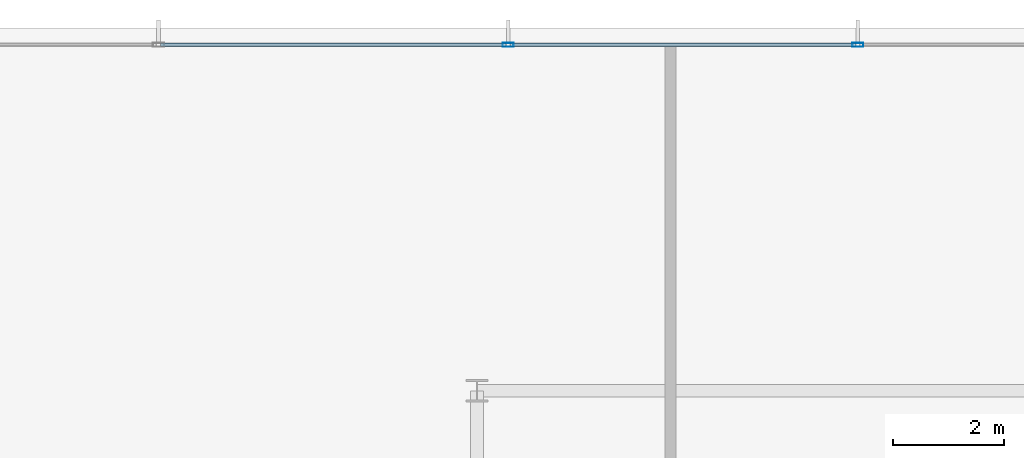
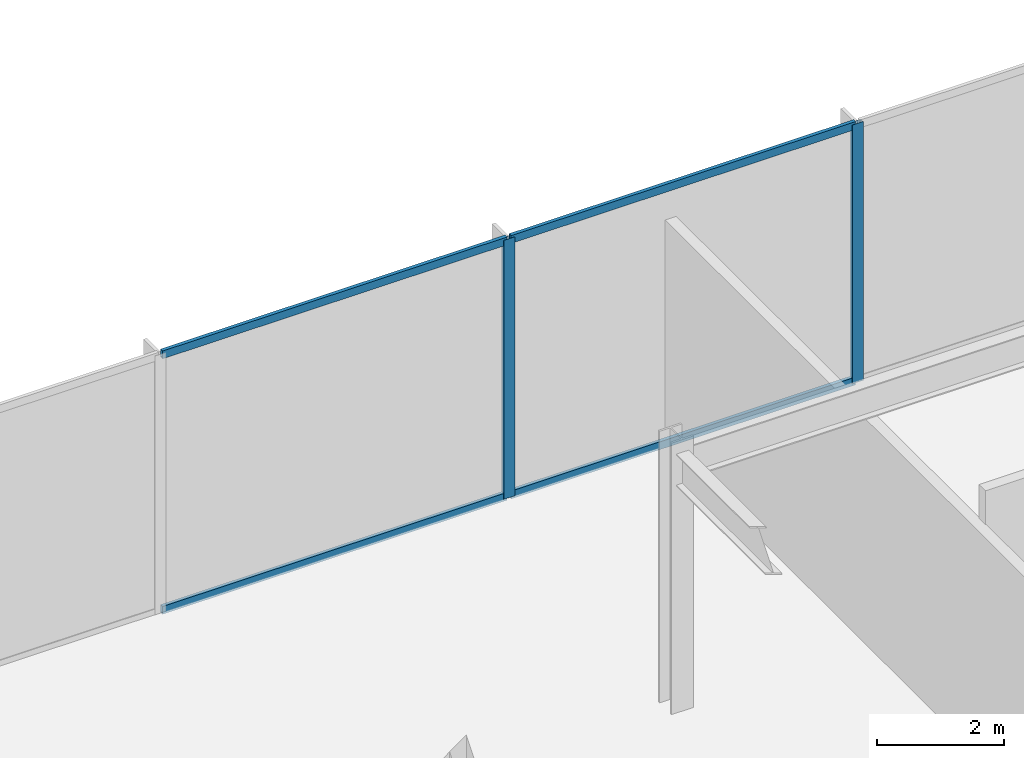
# One storey, part 25 of 43: 6 members, 1 element without a shape of its own.
"""IFC4 building model written with IfcOpenShell, lengths in metres."""

from ifc_helpers import new_model, si_unit, direction, frame, origin, origin_2d, place, context, subcontext, project, spatial, hollow_rectangle, extrude, material, layer, layer_set, material_profile, profile_set, type_object, element, aggregate, save


model = new_model("IFC4")

# Units and contexts
model_context = context("Model", 3, precision=1e-05, world=origin(), true_north=direction((0.0, 1.0)))
body_context = subcontext(model_context, "Body", "Model", "MODEL_VIEW")
ifc_project = project(units=[si_unit("LENGTHUNIT", "METRE"), si_unit("AREAUNIT", "SQUARE_METRE"), si_unit("VOLUMEUNIT", "CUBIC_METRE"), si_unit("PLANEANGLEUNIT", "RADIAN"), si_unit("MASSUNIT", "GRAM", prefix="KILO")], contexts=[model_context])

# Site, building, storey
site_placement = place(None, origin())
site = spatial("IfcSite", under=ifc_project, at=site_placement, CompositionType="ELEMENT")
building_placement = place(site_placement, origin())
building = spatial("IfcBuilding", under=site, at=building_placement, Name="Orvanel Arch Residences", CompositionType="ELEMENT")
storey_placement = place(building_placement, frame((0.0, 0.0, 18.39990234375)))
storey = spatial("IfcBuildingStorey", under=building, at=storey_placement, Name="L04", CompositionType="ELEMENT", Elevation=18.39990234375)

# Curtain wall, members
ifc_material = material(Name="Bronze-anodised aluminium AA6063-T6", Category="aluminium")
ifc_layer = layer(ifc_material, 0.199951171875)
ifc_layer_set = layer_set([ifc_layer], Name="Bronze-anodised aluminium AA6063-T6")
curtain_wall_type = type_object("IfcCurtainWallType", Name="CW1-POD-SYS", PredefinedType="NOTDEFINED", material=ifc_layer_set)
curtain_wall_placement = place(storey_placement, origin())
curtain_wall = element("IfcCurtainWall", 1, at=curtain_wall_placement, inside=storey, type_object=curtain_wall_type, Name="L04 CW1-POD-SYS Unitised Curtain Wall", PredefinedType="NOTDEFINED")
ifc_material_profile_1 = material_profile(ifc_material, hollow_rectangle(XDim=0.074951171875, YDim=0.199951171875, WallThickness=0.0048828125, at=origin_2d()), Name="ALU200x75x5")
ifc_profile_set_1 = profile_set([ifc_material_profile_1], Name="Bronze-anodised aluminium AA6063-T6")
member_type_1 = type_object("IfcMemberType", Name="MUL-200x75", PredefinedType="MULLION", material=ifc_profile_set_1)
member_1_placement = place(storey_placement, frame((26.681884765625, 54.25, 0.0), z_axis=(0.0, 0.0, 1.0), x_axis=(0.0, -1.0, 0.0)))
member_1 = element("IfcMember", 2, at=member_1_placement, type_object=member_type_1, Name="CW-S1 mullion 7", PredefinedType="MULLION", context=body_context, shape_type="SweptSolid", body=[
    extrude(hollow_rectangle(XDim=0.074951171875, YDim=0.199951171875, WallThickness=0.0048828125, at=origin_2d()), origin(), (0.0, 0.0, 1.0), 4.960205078125),
])
member_2_placement = place(storey_placement, frame((20.364013671875, 54.25, 0.0), z_axis=(0.0, 0.0, 1.0), x_axis=(0.0, -1.0, 0.0)))
member_2 = element("IfcMember", 3, at=member_2_placement, type_object=member_type_1, Name="CW-S1 mullion 8", PredefinedType="MULLION", context=body_context, shape_type="SweptSolid", body=[
    extrude(hollow_rectangle(XDim=0.074951171875, YDim=0.199951171875, WallThickness=0.0048828125, at=origin_2d()), origin(), (0.0, 0.0, 1.0), 4.960205078125),
])
ifc_material_profile_2 = material_profile(ifc_material, hollow_rectangle(XDim=0.06494140625, YDim=0.14990234375, WallThickness=0.00390625, at=origin_2d()), Name="ALU150x65x4")
ifc_profile_set_2 = profile_set([ifc_material_profile_2], Name="Bronze-anodised aluminium AA6063-T6")
member_type_2 = type_object("IfcMemberType", Name="TRN-150x65", PredefinedType="USERDEFINED", material=ifc_profile_set_2)
member_3_placement = place(storey_placement, frame((26.64453125, 54.25, 0.03271484375), z_axis=(-1.0, 0.0, 0.0), x_axis=(0.0, -1.0, 0.0)))
member_3 = element("IfcMember", 4, at=member_3_placement, type_object=member_type_2, Name="CW-S1 transom 7.1", ObjectType="TRANSOM", PredefinedType="USERDEFINED", context=body_context, shape_type="SweptSolid", body=[
    extrude(hollow_rectangle(XDim=0.06494140625, YDim=0.14990234375, WallThickness=0.00390625, at=origin_2d()), origin(), (0.0, 0.0, 1.0), 6.242919921875),
])
member_4_placement = place(storey_placement, frame((26.64453125, 54.25, 4.927490234375), z_axis=(-1.0, 0.0, 0.0), x_axis=(0.0, -1.0, 0.0)))
member_4 = element("IfcMember", 5, at=member_4_placement, type_object=member_type_2, Name="CW-S1 transom 7.2", ObjectType="TRANSOM", PredefinedType="USERDEFINED", context=body_context, shape_type="SweptSolid", body=[
    extrude(hollow_rectangle(XDim=0.06494140625, YDim=0.14990234375, WallThickness=0.00390625, at=origin_2d()), origin(), (0.0, 0.0, 1.0), 6.242919921875),
])
member_5_placement = place(storey_placement, frame((20.326416015625, 54.25, 0.03271484375), z_axis=(-1.0, 0.0, 0.0), x_axis=(0.0, -1.0, 0.0)))
member_5 = element("IfcMember", 6, at=member_5_placement, type_object=member_type_2, Name="CW-S1 transom 8.1", ObjectType="TRANSOM", PredefinedType="USERDEFINED", context=body_context, shape_type="SweptSolid", body=[
    extrude(hollow_rectangle(XDim=0.06494140625, YDim=0.14990234375, WallThickness=0.00390625, at=origin_2d()), origin(), (0.0, 0.0, 1.0), 6.242919921875),
])
member_6_placement = place(storey_placement, frame((20.326416015625, 54.25, 4.927490234375), z_axis=(-1.0, 0.0, 0.0), x_axis=(0.0, -1.0, 0.0)))
member_6 = element("IfcMember", 7, at=member_6_placement, type_object=member_type_2, Name="CW-S1 transom 8.2", ObjectType="TRANSOM", PredefinedType="USERDEFINED", context=body_context, shape_type="SweptSolid", body=[
    extrude(hollow_rectangle(XDim=0.06494140625, YDim=0.14990234375, WallThickness=0.00390625, at=origin_2d()), origin(), (0.0, 0.0, 1.0), 6.242919921875),
])
aggregate(curtain_wall, [member_1, member_2, member_3, member_4, member_5, member_6])

save(model, "model.ifc")
